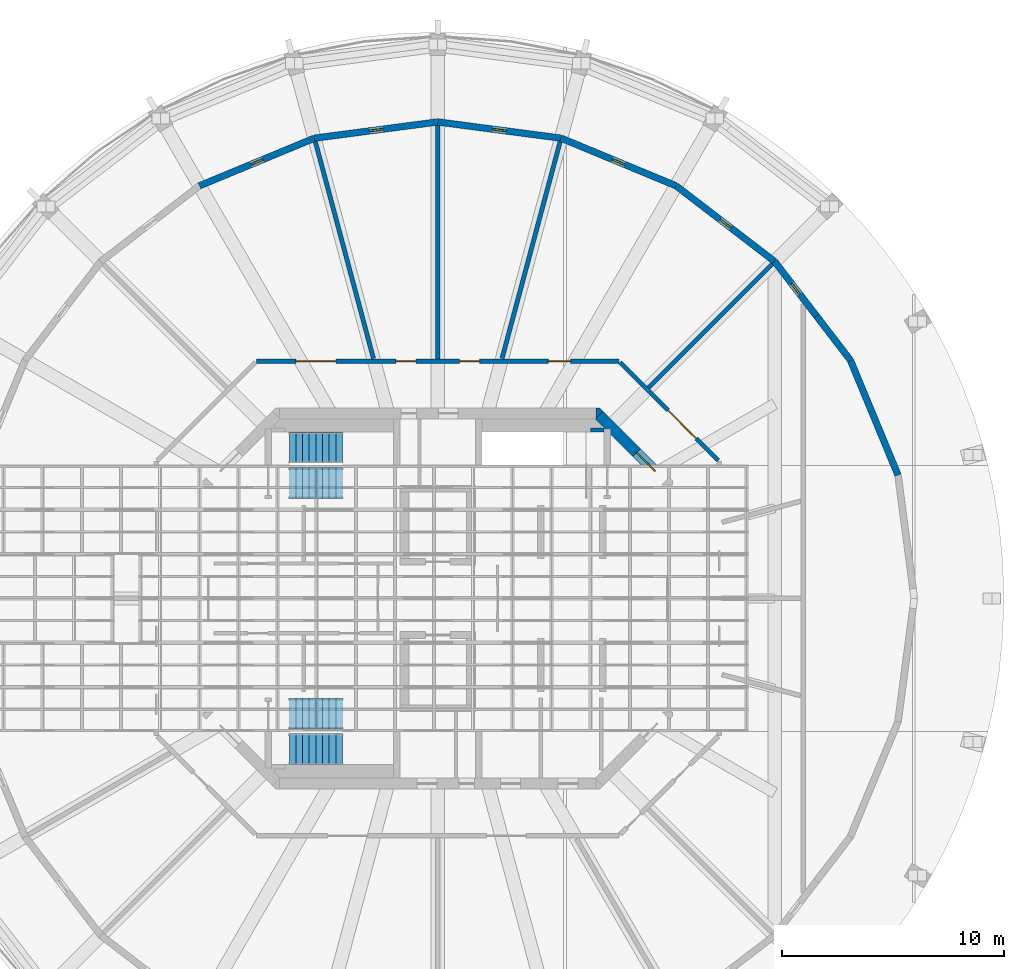
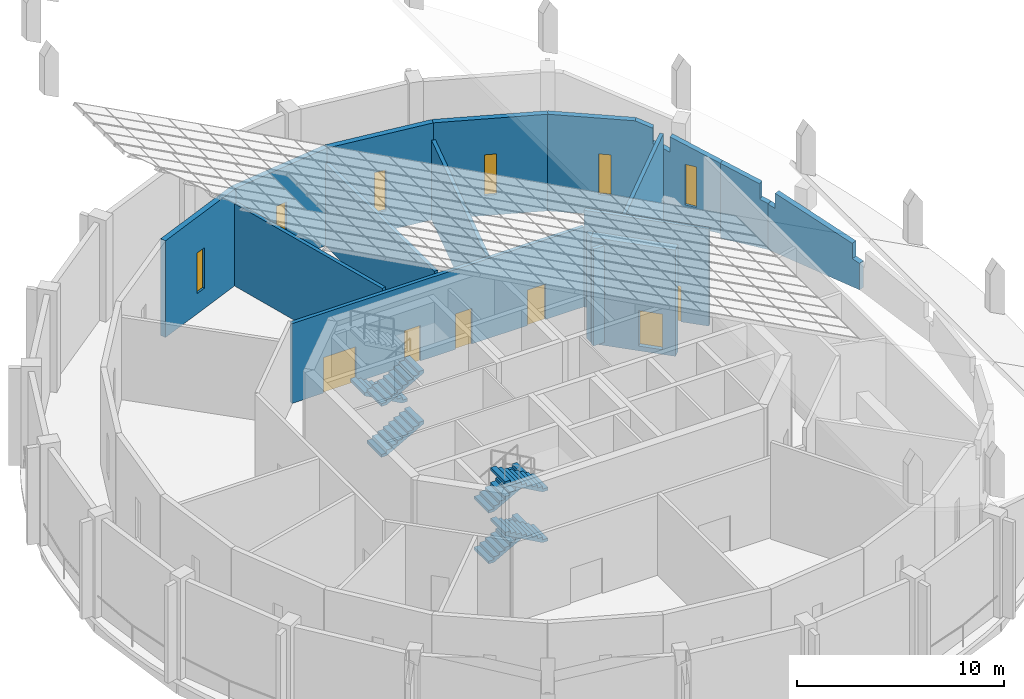
# One storey, part 16 of 19: 17 walls, 7 stair flights, 6 doors, 6 windows, 12 openings, 2 elements without a shape of their own.
"""IFC4 building model written with IfcOpenShell, lengths in metres."""

from ifc_helpers import new_model, si_unit, direction, frame, frame_2d, origin, place, context, subcontext, project, spatial, polyline, rectangle, outline, extrude, material, layer, layer_set, type_object, element, fill, aggregate, save


model = new_model("IFC4")

# Units and contexts
model_context = context("Model", 3, precision=1e-05, world=origin(), true_north=direction((0.0, 1.0)))
body_context = subcontext(model_context, "Body", "Model", "MODEL_VIEW")
ifc_project = project(units=[si_unit("LENGTHUNIT", "METRE"), si_unit("AREAUNIT", "SQUARE_METRE"), si_unit("VOLUMEUNIT", "CUBIC_METRE"), si_unit("PLANEANGLEUNIT", "RADIAN"), si_unit("MASSUNIT", "GRAM", prefix="KILO")], contexts=[model_context])

# Site, building, storey
site_placement = place(None, origin())
site = spatial("IfcSite", under=ifc_project, at=site_placement, CompositionType="ELEMENT")
building_placement = place(site_placement, origin())
building = spatial("IfcBuilding", under=site, at=building_placement, Name="Torre Triforio", CompositionType="ELEMENT")
storey_placement = place(building_placement, frame((0.0, 0.0, 290.800048828125)))
storey = spatial("IfcBuildingStorey", under=building, at=storey_placement, Name="RF-1", CompositionType="ELEMENT", Elevation=290.800048828125)

# Wall, opening, door
ifc_material_1 = material(Name="Concrete C40", Category="concrete")
ifc_layer_1 = layer(ifc_material_1, 0.5)
ifc_layer_set_1 = layer_set([ifc_layer_1], Name="Concrete C40")
wall_type_1 = type_object("IfcWallType", Name="Core wall 500 mm C40 EI 120", PredefinedType="SHEAR", material=ifc_layer_set_1)
wall_1_placement = place(storey_placement, frame((7.27685546875, 8.27685546875, -0.280029296875), z_axis=(0.0, 0.0, 1.0), x_axis=(0.707106781187, -0.707106781187, 0.0)))
wall_1 = element("IfcWall", 1, at=wall_1_placement, inside=storey, type_object=wall_type_1, Name="Core wall", PredefinedType="SHEAR", context=body_context, shape_type="SweptSolid", body=[
    extrude(rectangle(XDim=4.24267578125, YDim=0.5, at=frame_2d((2.121337890625, 0.0))), origin(), (0.0, 0.0, 1.0), 6.280029296875),
])
opening_1_placement = place(wall_1_placement, frame((2.392578125, 0.0, 0.280029296875)))
opening_1 = element("IfcOpeningElement", 2, at=opening_1_placement, cuts=wall_1, Name="Opening ST2-EXIT", PredefinedType="OPENING", context=body_context, shape_type="SweptSolid", body=[
    extrude(rectangle(XDim=1.199951171875, YDim=2.10009765625, at=frame_2d((0.60009765625, 1.050048828125))), frame((0.0, 0.260009765625, 0.0), z_axis=(0.0, -1.0, 0.0), x_axis=(1.0, 0.0, 0.0)), (0.0, 0.0, 1.0), 0.52001953125),
])
ifc_material_2 = material(Name="Hollow metal fire door leaf")
door_type_1 = type_object("IfcDoorType", Name="Stair lobby door 1200 x 2100 EI 60", OperationType="NOTDEFINED", PredefinedType="DOOR", material=ifc_material_2)
door_1_placement = place(opening_1_placement, origin())
door_1 = element("IfcDoor", 3, at=door_1_placement, inside=storey, type_object=door_type_1, Name="Core door ST2-EXIT", OperationType="SINGLE_SWING_RIGHT", OverallHeight=2.10009765625, OverallWidth=1.199951171875, PredefinedType="DOOR", context=body_context, shape_type="SweptSolid", body=[
    extrude(rectangle(XDim=1.199951171875, YDim=2.10009765625, at=frame_2d((0.60009765625, 1.050048828125))), frame((0.0, 0.02490234375, 0.0), z_axis=(0.0, -1.0, 0.0), x_axis=(1.0, 0.0, 0.0)), (0.0, 0.0, 1.0), 0.050048828125),
])
fill(opening_1, door_1)

# Wall
wall_2_placement = place(storey_placement, frame((0.0, 0.0, -0.280029296875)))
element("IfcWall", 4, at=wall_2_placement, inside=storey, type_object=wall_type_1, Name="Core wall", PredefinedType="SHEAR", context=body_context, shape_type="SweptSolid", body=[
    extrude(outline(polyline([(7.30712890625, 8.60009765625), (7.45361328125, 8.45361328125), (7.1298828125, 8.1298828125), (7.1298828125, 8.60009765625), (7.30712890625, 8.60009765625)])), origin(), (0.0, 0.0, 1.0), 6.280029296875),
])

# Wall, openings, doors
ifc_material_3 = material(Name="Masonry block", Category="masonry")
ifc_layer_2 = layer(ifc_material_3, 0.199951171875)
ifc_layer_set_2 = layer_set([ifc_layer_2], Name="Masonry block")
wall_type_2 = type_object("IfcWallType", Name="Plant room wall 200 mm block EI 120", PredefinedType="PARTITIONING", material=ifc_layer_set_2)
wall_3_placement = place(storey_placement, frame((-8.177001953125, 10.699951171875, 0.0), z_axis=(0.0, 0.0, 1.0), x_axis=(1.0, 0.0, 0.0)))
wall_3 = element("IfcWall", 5, at=wall_3_placement, inside=storey, type_object=wall_type_2, Name="Partition 5", PredefinedType="PARTITIONING", context=body_context, shape_type="SweptSolid", body=[
    extrude(rectangle(XDim=16.35400390625, YDim=0.199951171875, at=frame_2d((8.177001953125, 0.0))), origin(), (0.0, 0.0, 1.0), 4.719970703125),
])
opening_2_placement = place(wall_3_placement, frame((13.174072265625, 0.0, 0.0)))
opening_2 = element("IfcOpeningElement", 6, at=opening_2_placement, cuts=wall_3, Name="Opening CR1-01", PredefinedType="OPENING", context=body_context, shape_type="SweptSolid", body=[
    extrude(rectangle(XDim=1.0, YDim=2.10009765625, at=frame_2d((0.5, 1.050048828125))), frame((0.0, 0.10986328125, 0.0), z_axis=(0.0, -1.0, 0.0), x_axis=(1.0, 0.0, 0.0)), (0.0, 0.0, 1.0), 0.219970703125),
])
opening_3_placement = place(wall_3_placement, frame((9.161376953125, 0.0, 0.0)))
opening_3 = element("IfcOpeningElement", 7, at=opening_3_placement, cuts=wall_3, Name="Opening CR1-02", PredefinedType="OPENING", context=body_context, shape_type="SweptSolid", body=[
    extrude(rectangle(XDim=0.89990234375, YDim=2.10009765625, at=frame_2d((0.449951171875, 1.050048828125))), frame((0.0, 0.10986328125, 0.0), z_axis=(0.0, -1.0, 0.0), x_axis=(1.0, 0.0, 0.0)), (0.0, 0.0, 1.0), 0.219970703125),
])
opening_4_placement = place(wall_3_placement, frame((6.29248046875, 0.0, 0.0)))
opening_4 = element("IfcOpeningElement", 8, at=opening_4_placement, cuts=wall_3, Name="Opening CR1-03", PredefinedType="OPENING", context=body_context, shape_type="SweptSolid", body=[
    extrude(rectangle(XDim=0.89990234375, YDim=2.10009765625, at=frame_2d((0.449951171875, 1.050048828125))), frame((0.0, 0.10986328125, 0.0), z_axis=(0.0, -1.0, 0.0), x_axis=(1.0, 0.0, 0.0)), (0.0, 0.0, 1.0), 0.219970703125),
])
opening_5_placement = place(wall_3_placement, frame((1.77978515625, 0.0, 0.0)))
opening_5 = element("IfcOpeningElement", 9, at=opening_5_placement, cuts=wall_3, Name="Opening CR1-04", PredefinedType="OPENING", context=body_context, shape_type="SweptSolid", body=[
    extrude(rectangle(XDim=1.800048828125, YDim=2.10009765625, at=frame_2d((0.89990234375, 1.050048828125))), frame((0.0, 0.10986328125, 0.0), z_axis=(0.0, -1.0, 0.0), x_axis=(1.0, 0.0, 0.0)), (0.0, 0.0, 1.0), 0.219970703125),
])
door_type_2 = type_object("IfcDoorType", Name="Door 1000 x 2100 single leaf EI 60", OperationType="NOTDEFINED", PredefinedType="DOOR", material=ifc_material_2)
door_2_placement = place(opening_2_placement, origin())
door_2 = element("IfcDoor", 10, at=door_2_placement, inside=storey, type_object=door_type_2, Name="Door CR1-01", OperationType="SINGLE_SWING_LEFT", OverallHeight=2.10009765625, OverallWidth=1.0, PredefinedType="DOOR", context=body_context, shape_type="SweptSolid", body=[
    extrude(rectangle(XDim=1.0, YDim=2.10009765625, at=frame_2d((0.5, 1.050048828125))), frame((0.0, 0.02490234375, 0.0), z_axis=(0.0, -1.0, 0.0), x_axis=(1.0, 0.0, 0.0)), (0.0, 0.0, 1.0), 0.050048828125),
])
fill(opening_2, door_2)
door_type_3 = type_object("IfcDoorType", Name="Door 1800 x 2100 double leaf EI 60", OperationType="DOUBLE_DOOR_SINGLE_SWING", PredefinedType="DOOR", material=ifc_material_2)
door_3_placement = place(opening_5_placement, origin())
door_3 = element("IfcDoor", 11, at=door_3_placement, inside=storey, type_object=door_type_3, Name="Door CR1-04", OperationType="DOUBLE_DOOR_SINGLE_SWING", OverallHeight=2.10009765625, OverallWidth=1.800048828125, PredefinedType="DOOR", context=body_context, shape_type="SweptSolid", body=[
    extrude(rectangle(XDim=1.800048828125, YDim=2.10009765625, at=frame_2d((0.89990234375, 1.050048828125))), frame((0.0, 0.02490234375, 0.0), z_axis=(0.0, -1.0, 0.0), x_axis=(1.0, 0.0, 0.0)), (0.0, 0.0, 1.0), 0.050048828125),
])
fill(opening_5, door_3)
door_type_4 = type_object("IfcDoorType", Name="Door 900 x 2100 single leaf EI 60", OperationType="NOTDEFINED", PredefinedType="DOOR", material=ifc_material_2)
door_4_placement = place(opening_3_placement, origin())
door_4 = element("IfcDoor", 12, at=door_4_placement, inside=storey, type_object=door_type_4, Name="Door CR1-02", OperationType="SINGLE_SWING_LEFT", OverallHeight=2.10009765625, OverallWidth=0.89990234375, PredefinedType="DOOR", context=body_context, shape_type="SweptSolid", body=[
    extrude(rectangle(XDim=0.89990234375, YDim=2.10009765625, at=frame_2d((0.449951171875, 1.050048828125))), frame((0.0, 0.02490234375, 0.0), z_axis=(0.0, -1.0, 0.0), x_axis=(1.0, 0.0, 0.0)), (0.0, 0.0, 1.0), 0.050048828125),
])
fill(opening_3, door_4)
door_5_placement = place(opening_4_placement, origin())
door_5 = element("IfcDoor", 13, at=door_5_placement, inside=storey, type_object=door_type_4, Name="Door CR1-03", OperationType="SINGLE_SWING_LEFT", OverallHeight=2.10009765625, OverallWidth=0.89990234375, PredefinedType="DOOR", context=body_context, shape_type="SweptSolid", body=[
    extrude(rectangle(XDim=0.89990234375, YDim=2.10009765625, at=frame_2d((0.449951171875, 1.050048828125))), frame((0.0, 0.02490234375, 0.0), z_axis=(0.0, -1.0, 0.0), x_axis=(1.0, 0.0, 0.0)), (0.0, 0.0, 1.0), 0.050048828125),
])
fill(opening_4, door_5)

# Wall, opening, door
wall_4_placement = place(storey_placement, frame((8.2265625, 10.650390625, 0.0), z_axis=(0.0, 0.0, 1.0), x_axis=(0.707106781187, -0.707106781187, 0.0)))
wall_4 = element("IfcWall", 14, at=wall_4_placement, inside=storey, type_object=wall_type_2, Name="Partition 6", PredefinedType="PARTITIONING", context=body_context, shape_type="SweptSolid", body=[
    extrude(rectangle(XDim=6.25634765625, YDim=0.199951171875, at=frame_2d((3.128173828125, 0.0))), origin(), (0.0, 0.0, 1.0), 5.719970703125),
])
opening_6_placement = place(wall_4_placement, frame((3.060302734375, 0.0, 0.0)))
opening_6 = element("IfcOpeningElement", 15, at=opening_6_placement, cuts=wall_4, Name="Opening CR1-15", PredefinedType="OPENING", context=body_context, shape_type="SweptSolid", body=[
    extrude(rectangle(XDim=1.800048828125, YDim=2.10009765625, at=frame_2d((0.89990234375, 1.050048828125))), frame((0.0, 0.10986328125, 0.0), z_axis=(0.0, -1.0, 0.0), x_axis=(1.0, 0.0, 0.0)), (0.0, 0.0, 1.0), 0.219970703125),
])
door_6_placement = place(opening_6_placement, origin())
door_6 = element("IfcDoor", 16, at=door_6_placement, inside=storey, type_object=door_type_3, Name="Door CR1-15", OperationType="DOUBLE_DOOR_SINGLE_SWING", OverallHeight=2.10009765625, OverallWidth=1.800048828125, PredefinedType="DOOR", context=body_context, shape_type="SweptSolid", body=[
    extrude(rectangle(XDim=1.800048828125, YDim=2.10009765625, at=frame_2d((0.89990234375, 1.050048828125))), frame((0.0, 0.02490234375, 0.0), z_axis=(0.0, -1.0, 0.0), x_axis=(1.0, 0.0, 0.0)), (0.0, 0.0, 1.0), 0.050048828125),
])
fill(opening_6, door_6)

# Walls
wall_5_placement = place(storey_placement, frame((9.50927734375, 9.50927734375, 0.0), z_axis=(0.0, 0.0, 1.0), x_axis=(0.707106781187, 0.707106781187, 0.0)))
element("IfcWall", 17, at=wall_5_placement, inside=storey, type_object=wall_type_2, Name="Partition 11", PredefinedType="PARTITIONING", context=body_context, shape_type="SweptSolid", body=[
    extrude(rectangle(XDim=7.888671875, YDim=0.199951171875, at=frame_2d((3.9443359375, 0.0))), origin(), (0.0, 0.0, 1.0), 5.113037109375),
])
wall_6_placement = place(storey_placement, frame((2.900634765625, 10.82568359375, 0.0), z_axis=(0.0, 0.0, 1.0), x_axis=(0.258817608395, 0.965926211253, 0.0)))
element("IfcWall", 18, at=wall_6_placement, inside=storey, type_object=wall_type_2, Name="Partition 12", PredefinedType="PARTITIONING", context=body_context, shape_type="SweptSolid", body=[
    extrude(rectangle(XDim=10.129150390625, YDim=0.199951171875, at=frame_2d((5.064453125, 0.0))), origin(), (0.0, 0.0, 1.0), 4.719970703125),
])
wall_7_placement = place(storey_placement, frame((0.0, 10.800048828125, 0.0), z_axis=(0.0, 0.0, 1.0), x_axis=(0.0, 1.0, 0.0)))
element("IfcWall", 19, at=wall_7_placement, inside=storey, type_object=wall_type_2, Name="Partition 13", PredefinedType="PARTITIONING", context=body_context, shape_type="SweptSolid", body=[
    extrude(rectangle(XDim=10.53662109375, YDim=0.199951171875, at=frame_2d((5.268310546875, 0.0))), origin(), (0.0, 0.0, 1.0), 4.869873046875),
])
wall_8_placement = place(storey_placement, frame((-2.900634765625, 10.82568359375, 0.0), z_axis=(0.0, 0.0, 1.0), x_axis=(-0.258817608395, 0.965926211253, 0.0)))
element("IfcWall", 20, at=wall_8_placement, inside=storey, type_object=wall_type_2, Name="Partition 14", PredefinedType="PARTITIONING", context=body_context, shape_type="SweptSolid", body=[
    extrude(rectangle(XDim=10.129150390625, YDim=0.199951171875, at=frame_2d((5.064453125, 0.0))), origin(), (0.0, 0.0, 1.0), 4.869873046875),
])
ifc_layer_3 = layer(ifc_material_1, 0.199951171875)
ifc_layer_set_3 = layer_set([ifc_layer_3], Name="Concrete C40")
wall_type_3 = type_object("IfcWallType", Name="Stair wall 200 mm C40 EI 120", PredefinedType="SHEAR", material=ifc_layer_set_3)
wall_9_placement = place(storey_placement, frame((6.89990234375, 7.60009765625, 0.0), z_axis=(0.0, 0.0, 1.0), x_axis=(1.0, 0.0, 0.0)))
element("IfcWall", 21, at=wall_9_placement, inside=storey, type_object=wall_type_3, Name="Stair wall", PredefinedType="SHEAR", context=body_context, shape_type="SweptSolid", body=[
    extrude(rectangle(XDim=0.60009765625, YDim=0.199951171875, at=frame_2d((0.300048828125, 0.0))), origin(), (0.0, 0.0, 1.0), 5.719970703125),
])

# Wall, opening, window
ifc_material_4 = material(Name="Limestone cladding", Category="masonry")
ifc_layer_4 = layer(ifc_material_4, 0.10009765625)
ifc_layer_5 = layer(ifc_material_1, 0.199951171875)
ifc_layer_set_4 = layer_set([ifc_layer_4, ifc_layer_5], Name="Limestone cladding / Concrete C40")
wall_type_4 = type_object("IfcWallType", Name="Stone-faced composite wall 300", PredefinedType="STANDARD", material=ifc_layer_set_4)
wall_10_placement = place(storey_placement, frame((17.086669921875, 12.74755859375, 0.0), z_axis=(0.0, 0.0, 1.0), x_axis=(-0.608711400692, 0.793391725863, 0.0)))
wall_10 = element("IfcWall", 22, at=wall_10_placement, inside=storey, type_object=wall_type_4, Name="Crown wall RF-1 bay 03", PredefinedType="STANDARD", context=body_context, shape_type="SweptSolid", body=[
    extrude(outline(polyline([(0.0, 0.0), (3.0947265625, 0.0), (3.0947265625, 4.249267578125), (2.644775390625, 4.103515625), (2.642578125, 5.005859375), (0.0, 4.150634765625), (0.0, 0.0)])), frame((0.0, 0.14990234375, 0.0), z_axis=(0.0, -1.0, 0.0), x_axis=(1.0, 0.0, 0.0)), (0.0, 0.0, 1.0), 0.300048828125),
])
opening_7_placement = place(wall_10_placement, frame((1.247314453125, 0.0, 1.199951171875)))
opening_7 = element("IfcOpeningElement", 23, at=opening_7_placement, cuts=wall_10, Name="Opening CR1-W03", PredefinedType="OPENING", context=body_context, shape_type="SweptSolid", body=[
    extrude(rectangle(XDim=0.60009765625, YDim=2.39990234375, at=frame_2d((0.300048828125, 1.199951171875))), frame((0.0, 0.159912109375, 0.0), z_axis=(0.0, -1.0, 0.0), x_axis=(1.0, 0.0, 0.0)), (0.0, 0.0, 1.0), 0.320068359375),
])
ifc_material_5 = material(Name="Aluminium frame with clear double glazing", Category="aluminium")
window_type = type_object("IfcWindowType", Name="Crown lancet slit window 600 x 2400", PartitioningType="SINGLE_PANEL", PredefinedType="WINDOW", material=ifc_material_5)
window_1_placement = place(opening_7_placement, origin())
window_1 = element("IfcWindow", 24, at=window_1_placement, inside=storey, type_object=window_type, Name="Slit window RF-1 bay 03", OverallHeight=2.39990234375, OverallWidth=0.60009765625, PartitioningType="SINGLE_PANEL", PredefinedType="WINDOW", context=body_context, shape_type="SweptSolid", body=[
    extrude(rectangle(XDim=0.60009765625, YDim=2.39990234375, at=frame_2d((0.300048828125, 1.199951171875))), frame((0.0, 0.030029296875, 0.0), z_axis=(0.0, -1.0, 0.0), x_axis=(1.0, 0.0, 0.0)), (0.0, 0.0, 1.0), 0.06005859375),
])
fill(opening_7, window_1)

wall_11_placement = place(storey_placement, frame((15.202880859375, 15.202880859375, 0.0), z_axis=(0.0, 0.0, 1.0), x_axis=(-0.793380165925, 0.608726467567, 0.0)))
wall_11 = element("IfcWall", 25, at=wall_11_placement, inside=storey, type_object=wall_type_4, Name="Crown wall RF-1 bay 04", PredefinedType="STANDARD", context=body_context, shape_type="SweptSolid", body=[
    extrude(outline(polyline([(0.0, 0.0), (5.612548828125, 0.0), (5.612548828125, 5.719970703125), (1.310791015625, 5.719970703125), (0.451904296875, 5.357666015625), (0.449951171875, 4.453857421875), (0.0, 4.263916015625), (0.0, 0.0)])), frame((0.0, 0.14990234375, 0.0), z_axis=(0.0, -1.0, 0.0), x_axis=(1.0, 0.0, 0.0)), (0.0, 0.0, 1.0), 0.300048828125),
])
opening_8_placement = place(wall_11_placement, frame((2.50634765625, 0.0, 1.199951171875)))
opening_8 = element("IfcOpeningElement", 26, at=opening_8_placement, cuts=wall_11, Name="Opening CR1-W04", PredefinedType="OPENING", context=body_context, shape_type="SweptSolid", body=[
    extrude(rectangle(XDim=0.60009765625, YDim=2.39990234375, at=frame_2d((0.300048828125, 1.199951171875))), frame((0.0, 0.159912109375, 0.0), z_axis=(0.0, -1.0, 0.0), x_axis=(1.0, 0.0, 0.0)), (0.0, 0.0, 1.0), 0.320068359375),
])
window_2_placement = place(opening_8_placement, origin())
window_2 = element("IfcWindow", 27, at=window_2_placement, inside=storey, type_object=window_type, Name="Slit window RF-1 bay 04", OverallHeight=2.39990234375, OverallWidth=0.60009765625, PartitioningType="SINGLE_PANEL", PredefinedType="WINDOW", context=body_context, shape_type="SweptSolid", body=[
    extrude(rectangle(XDim=0.60009765625, YDim=2.39990234375, at=frame_2d((0.300048828125, 1.199951171875))), frame((0.0, 0.030029296875, 0.0), z_axis=(0.0, -1.0, 0.0), x_axis=(1.0, 0.0, 0.0)), (0.0, 0.0, 1.0), 0.06005859375),
])
fill(opening_8, window_2)

wall_12_placement = place(storey_placement, frame((10.75, 18.619384765625, 0.0), z_axis=(0.0, 0.0, 1.0), x_axis=(-0.92387156362, 0.382702670405, 0.0)))
wall_12 = element("IfcWall", 28, at=wall_12_placement, inside=storey, type_object=wall_type_4, Name="Crown wall RF-1 bay 05", PredefinedType="STANDARD", context=body_context, shape_type="SweptSolid", body=[
    extrude(outline(polyline([(0.0, 0.0), (5.612548828125, 0.0), (5.612548828125, 5.719970703125), (0.0, 5.719970703125), (0.0, 0.0)])), frame((0.0, 0.14990234375, 0.0), z_axis=(0.0, -1.0, 0.0), x_axis=(1.0, 0.0, 0.0)), (0.0, 0.0, 1.0), 0.300048828125),
])
opening_9_placement = place(wall_12_placement, frame((2.50634765625, 0.0, 1.199951171875)))
opening_9 = element("IfcOpeningElement", 29, at=opening_9_placement, cuts=wall_12, Name="Opening CR1-W05", PredefinedType="OPENING", context=body_context, shape_type="SweptSolid", body=[
    extrude(rectangle(XDim=0.60009765625, YDim=2.39990234375, at=frame_2d((0.300048828125, 1.199951171875))), frame((0.0, 0.159912109375, 0.0), z_axis=(0.0, -1.0, 0.0), x_axis=(1.0, 0.0, 0.0)), (0.0, 0.0, 1.0), 0.320068359375),
])
window_3_placement = place(opening_9_placement, origin())
window_3 = element("IfcWindow", 30, at=window_3_placement, inside=storey, type_object=window_type, Name="Slit window RF-1 bay 05", OverallHeight=2.39990234375, OverallWidth=0.60009765625, PartitioningType="SINGLE_PANEL", PredefinedType="WINDOW", context=body_context, shape_type="SweptSolid", body=[
    extrude(rectangle(XDim=0.60009765625, YDim=2.39990234375, at=frame_2d((0.300048828125, 1.199951171875))), frame((0.0, 0.030029296875, 0.0), z_axis=(0.0, -1.0, 0.0), x_axis=(1.0, 0.0, 0.0)), (0.0, 0.0, 1.0), 0.06005859375),
])
fill(opening_9, window_3)

wall_13_placement = place(storey_placement, frame((5.564697265625, 20.767333984375, 0.0), z_axis=(0.0, 0.0, 1.0), x_axis=(-0.991443484334, 0.130536651449, 0.0)))
wall_13 = element("IfcWall", 31, at=wall_13_placement, inside=storey, type_object=wall_type_4, Name="Crown wall RF-1 bay 06", PredefinedType="STANDARD", context=body_context, shape_type="SweptSolid", body=[
    extrude(outline(polyline([(0.0, 0.0), (5.61279296875, 0.0), (5.612548828125, 5.719970703125), (0.0, 5.719970703125), (0.0, 0.0)])), frame((0.0, 0.14990234375, 0.0), z_axis=(0.0, -1.0, 0.0), x_axis=(1.0, 0.0, 0.0)), (0.0, 0.0, 1.0), 0.300048828125),
])
opening_10_placement = place(wall_13_placement, frame((2.50634765625, 0.0, 1.199951171875)))
opening_10 = element("IfcOpeningElement", 32, at=opening_10_placement, cuts=wall_13, Name="Opening CR1-W06", PredefinedType="OPENING", context=body_context, shape_type="SweptSolid", body=[
    extrude(rectangle(XDim=0.60009765625, YDim=2.39990234375, at=frame_2d((0.300048828125, 1.199951171875))), frame((0.0, 0.159912109375, 0.0), z_axis=(0.0, -1.0, 0.0), x_axis=(1.0, 0.0, 0.0)), (0.0, 0.0, 1.0), 0.320068359375),
])
window_4_placement = place(opening_10_placement, origin())
window_4 = element("IfcWindow", 33, at=window_4_placement, inside=storey, type_object=window_type, Name="Slit window RF-1 bay 06", OverallHeight=2.39990234375, OverallWidth=0.60009765625, PartitioningType="SINGLE_PANEL", PredefinedType="WINDOW", context=body_context, shape_type="SweptSolid", body=[
    extrude(rectangle(XDim=0.60009765625, YDim=2.39990234375, at=frame_2d((0.300048828125, 1.199951171875))), frame((0.0, 0.030029296875, 0.0), z_axis=(0.0, -1.0, 0.0), x_axis=(1.0, 0.0, 0.0)), (0.0, 0.0, 1.0), 0.06005859375),
])
fill(opening_10, window_4)

wall_14_placement = place(storey_placement, frame((0.0, 21.5, 0.0), z_axis=(0.0, 0.0, 1.0), x_axis=(-0.991443484334, -0.130536651449, 0.0)))
wall_14 = element("IfcWall", 34, at=wall_14_placement, inside=storey, type_object=wall_type_4, Name="Crown wall RF-1 bay 07", PredefinedType="STANDARD", context=body_context, shape_type="SweptSolid", body=[
    extrude(outline(polyline([(0.0, 0.0), (5.61279296875, 0.0), (5.612548828125, 5.719970703125), (0.0, 5.719970703125), (0.0, 0.0)])), frame((0.0, 0.14990234375, 0.0), z_axis=(0.0, -1.0, 0.0), x_axis=(1.0, 0.0, 0.0)), (0.0, 0.0, 1.0), 0.300048828125),
])
opening_11_placement = place(wall_14_placement, frame((2.50634765625, 0.0, 1.199951171875)))
opening_11 = element("IfcOpeningElement", 35, at=opening_11_placement, cuts=wall_14, Name="Opening CR1-W07", PredefinedType="OPENING", context=body_context, shape_type="SweptSolid", body=[
    extrude(rectangle(XDim=0.60009765625, YDim=2.39990234375, at=frame_2d((0.300048828125, 1.199951171875))), frame((0.0, 0.159912109375, 0.0), z_axis=(0.0, -1.0, 0.0), x_axis=(1.0, 0.0, 0.0)), (0.0, 0.0, 1.0), 0.320068359375),
])
window_5_placement = place(opening_11_placement, origin())
window_5 = element("IfcWindow", 36, at=window_5_placement, inside=storey, type_object=window_type, Name="Slit window RF-1 bay 07", OverallHeight=2.39990234375, OverallWidth=0.60009765625, PartitioningType="SINGLE_PANEL", PredefinedType="WINDOW", context=body_context, shape_type="SweptSolid", body=[
    extrude(rectangle(XDim=0.60009765625, YDim=2.39990234375, at=frame_2d((0.300048828125, 1.199951171875))), frame((0.0, 0.030029296875, 0.0), z_axis=(0.0, -1.0, 0.0), x_axis=(1.0, 0.0, 0.0)), (0.0, 0.0, 1.0), 0.06005859375),
])
fill(opening_11, window_5)

wall_15_placement = place(storey_placement, frame((-5.564697265625, 20.767333984375, 0.0), z_axis=(0.0, 0.0, 1.0), x_axis=(-0.92387156362, -0.382702670405, 0.0)))
wall_15 = element("IfcWall", 37, at=wall_15_placement, inside=storey, type_object=wall_type_4, Name="Crown wall RF-1 bay 08", PredefinedType="STANDARD", context=body_context, shape_type="SweptSolid", body=[
    extrude(outline(polyline([(0.0, 0.0), (5.612548828125, 0.0), (5.612548828125, 5.719970703125), (0.0, 5.719970703125), (0.0, 0.0)])), frame((0.0, 0.14990234375, 0.0), z_axis=(0.0, -1.0, 0.0), x_axis=(1.0, 0.0, 0.0)), (0.0, 0.0, 1.0), 0.300048828125),
])
opening_12_placement = place(wall_15_placement, frame((2.50634765625, 0.0, 1.199951171875)))
opening_12 = element("IfcOpeningElement", 38, at=opening_12_placement, cuts=wall_15, Name="Opening CR1-W08", PredefinedType="OPENING", context=body_context, shape_type="SweptSolid", body=[
    extrude(rectangle(XDim=0.60009765625, YDim=2.39990234375, at=frame_2d((0.300048828125, 1.199951171875))), frame((0.0, 0.159912109375, 0.0), z_axis=(0.0, -1.0, 0.0), x_axis=(1.0, 0.0, 0.0)), (0.0, 0.0, 1.0), 0.320068359375),
])
window_6_placement = place(opening_12_placement, origin())
window_6 = element("IfcWindow", 39, at=window_6_placement, inside=storey, type_object=window_type, Name="Slit window RF-1 bay 08", OverallHeight=2.39990234375, OverallWidth=0.60009765625, PartitioningType="SINGLE_PANEL", PredefinedType="WINDOW", context=body_context, shape_type="SweptSolid", body=[
    extrude(rectangle(XDim=0.60009765625, YDim=2.39990234375, at=frame_2d((0.300048828125, 1.199951171875))), frame((0.0, 0.030029296875, 0.0), z_axis=(0.0, -1.0, 0.0), x_axis=(1.0, 0.0, 0.0)), (0.0, 0.0, 1.0), 0.06005859375),
])
fill(opening_12, window_6)

# Walls
wall_16_placement = place(storey_placement, frame((20.767333984375, 5.564697265625, -0.280029296875), z_axis=(0.0, 0.0, 1.0), x_axis=(-0.382702670405, 0.92387156362, 0.0)))
element("IfcWall", 40, at=wall_16_placement, inside=storey, type_object=wall_type_4, Name="Crown wall RF-1 bay 02 east", PredefinedType="STANDARD", context=body_context, shape_type="SweptSolid", body=[
    extrude(outline(polyline([(0.0, 0.0), (5.612548828125, 0.0), (5.612548828125, 2.7021484375), (5.16259765625, 2.610595703125), (5.16064453125, 3.51318359375), (0.451904296875, 2.55517578125), (0.449951171875, 1.651611328125), (0.0, 1.56005859375), (0.0, 0.0)])), frame((0.0, 0.14990234375, 0.0), z_axis=(0.0, -1.0, 0.0), x_axis=(1.0, 0.0, 0.0)), (0.0, 0.0, 1.0), 0.300048828125),
])
wall_17_placement = place(storey_placement, frame((18.619384765625, 10.75, -0.280029296875), z_axis=(0.0, 0.0, 1.0), x_axis=(-0.608744986289, 0.793365956963, 0.0)))
element("IfcWall", 41, at=wall_17_placement, inside=storey, type_object=wall_type_4, Name="Crown wall RF-1 bay 03 east", PredefinedType="STANDARD", context=body_context, shape_type="SweptSolid", body=[
    extrude(outline(polyline([(0.0, 0.0), (2.517822265625, 0.0), (2.517822265625, 4.4306640625), (0.451904296875, 3.761962890625), (0.449951171875, 2.858154296875), (0.0, 2.712646484375), (0.0, 0.0)])), frame((0.0, 0.14990234375, 0.0), z_axis=(0.0, -1.0, 0.0), x_axis=(1.0, 0.0, 0.0)), (0.0, 0.0, 1.0), 0.300048828125),
])

# Stair, stair flights
stair_type = type_object("IfcStairType", Name="STAIR DOUBLE RETURN", PredefinedType="DOUBLE_RETURN_STAIR", material=ifc_material_1)
stair_1_placement = place(storey_placement, origin())
stair_1 = element("IfcStair", 42, at=stair_1_placement, inside=storey, type_object=stair_type, Name="Exit stair 1", PredefinedType="DOUBLE_RETURN_STAIR")
stair_flight_type = type_object("IfcStairFlightType", Name="STAIR FLIGHT 1400", PredefinedType="STRAIGHT", material=ifc_material_1)
stair_flight_1_placement = place(storey_placement, frame((-6.699951171875, 5.199951171875, 0.0), z_axis=(0.0, 0.0, 1.0), x_axis=(1.0, 0.0, 0.0)))
stair_flight_1 = element("IfcStairFlight", 43, at=stair_flight_1_placement, type_object=stair_flight_type, Name="ST1 flight 1", NumberOfRisers=9, NumberOfTreads=8, PredefinedType="STRAIGHT", RiserHeight=0.166666667, TreadLength=0.3, context=body_context, shape_type="SweptSolid", body=[
    extrude(outline(polyline([(0.0, 0.0), (0.0, 0.166748046875), (0.300048828125, 0.166748046875), (0.300048828125, 0.333251953125), (0.60009765625, 0.333251953125), (0.60009765625, 0.5), (0.89990234375, 0.5), (0.89990234375, 0.666748046875), (1.199951171875, 0.666748046875), (1.199951171875, 0.833251953125), (1.5, 0.833251953125), (1.5, 1.0), (1.800048828125, 1.0), (1.800048828125, 1.166748046875), (2.10009765625, 1.166748046875), (2.10009765625, 1.333251953125), (2.39990234375, 1.333251953125), (2.39990234375, 1.5), (2.39990234375, 1.161865234375), (0.30859375, 0.0), (0.0, 0.0)])), frame((0.0, 0.699951171875, 0.0), z_axis=(0.0, -1.0, 0.0), x_axis=(1.0, 0.0, 0.0)), (0.0, 0.0, 1.0), 1.39990234375),
])
stair_flight_2_placement = place(storey_placement, frame((-4.300048828125, 6.800048828125, 1.5), z_axis=(0.0, 0.0, 1.0), x_axis=(-1.0, 0.0, 0.0)))
stair_flight_2 = element("IfcStairFlight", 44, at=stair_flight_2_placement, type_object=stair_flight_type, Name="ST1 flight 2", NumberOfRisers=9, NumberOfTreads=8, PredefinedType="STRAIGHT", RiserHeight=0.166666667, TreadLength=0.3, context=body_context, shape_type="SweptSolid", body=[
    extrude(outline(polyline([(0.0, 0.0), (0.0, 0.166748046875), (0.300048828125, 0.166748046875), (0.300048828125, 0.333251953125), (0.60009765625, 0.333251953125), (0.60009765625, 0.5), (0.89990234375, 0.5), (0.89990234375, 0.666748046875), (1.199951171875, 0.666748046875), (1.199951171875, 0.833251953125), (1.5, 0.833251953125), (1.5, 1.0), (1.800048828125, 1.0), (1.800048828125, 1.166748046875), (2.10009765625, 1.166748046875), (2.10009765625, 1.333251953125), (2.39990234375, 1.333251953125), (2.39990234375, 1.5), (2.39990234375, 1.161865234375), (0.30859375, 0.0), (0.0, 0.0)])), frame((0.0, 0.699951171875, 0.0), z_axis=(0.0, -1.0, 0.0), x_axis=(1.0, 0.0, 0.0)), (0.0, 0.0, 1.0), 1.39990234375),
])
stair_flight_3_placement = place(storey_placement, frame((-6.699951171875, 5.199951171875, 3.0), z_axis=(0.0, 0.0, 1.0), x_axis=(1.0, 0.0, 0.0)))
stair_flight_3 = element("IfcStairFlight", 45, at=stair_flight_3_placement, type_object=stair_flight_type, Name="ST1 flight 3", NumberOfRisers=9, NumberOfTreads=8, PredefinedType="STRAIGHT", RiserHeight=0.166666667, TreadLength=0.3, context=body_context, shape_type="SweptSolid", body=[
    extrude(outline(polyline([(0.0, 0.0), (0.0, 0.166748046875), (0.300048828125, 0.166748046875), (0.300048828125, 0.333251953125), (0.60009765625, 0.333251953125), (0.60009765625, 0.5), (0.89990234375, 0.5), (0.89990234375, 0.666748046875), (1.199951171875, 0.666748046875), (1.199951171875, 0.833251953125), (1.5, 0.833251953125), (1.5, 1.0), (1.800048828125, 1.0), (1.800048828125, 1.166748046875), (2.10009765625, 1.166748046875), (2.10009765625, 1.333251953125), (2.39990234375, 1.333251953125), (2.39990234375, 1.5), (2.39990234375, 1.161865234375), (0.30859375, 0.0), (0.0, 0.0)])), frame((0.0, 0.699951171875, 0.0), z_axis=(0.0, -1.0, 0.0), x_axis=(1.0, 0.0, 0.0)), (0.0, 0.0, 1.0), 1.39990234375),
])
aggregate(stair_1, [stair_flight_1, stair_flight_2, stair_flight_3])

stair_2_placement = place(storey_placement, origin())
stair_2 = element("IfcStair", 46, at=stair_2_placement, inside=storey, type_object=stair_type, Name="Exit stair 3", PredefinedType="DOUBLE_RETURN_STAIR")
stair_flight_4_placement = place(storey_placement, frame((-6.699951171875, -5.199951171875, 0.0), z_axis=(0.0, 0.0, 1.0), x_axis=(1.0, 0.0, 0.0)))
stair_flight_4 = element("IfcStairFlight", 47, at=stair_flight_4_placement, type_object=stair_flight_type, Name="ST3 flight 1", NumberOfRisers=9, NumberOfTreads=8, PredefinedType="STRAIGHT", RiserHeight=0.166666667, TreadLength=0.3, context=body_context, shape_type="SweptSolid", body=[
    extrude(outline(polyline([(0.0, 0.0), (0.0, 0.166748046875), (0.300048828125, 0.166748046875), (0.300048828125, 0.333251953125), (0.60009765625, 0.333251953125), (0.60009765625, 0.5), (0.89990234375, 0.5), (0.89990234375, 0.666748046875), (1.199951171875, 0.666748046875), (1.199951171875, 0.833251953125), (1.5, 0.833251953125), (1.5, 1.0), (1.800048828125, 1.0), (1.800048828125, 1.166748046875), (2.10009765625, 1.166748046875), (2.10009765625, 1.333251953125), (2.39990234375, 1.333251953125), (2.39990234375, 1.5), (2.39990234375, 1.161865234375), (0.30859375, 0.0), (0.0, 0.0)])), frame((0.0, 0.699951171875, 0.0), z_axis=(0.0, -1.0, 0.0), x_axis=(1.0, 0.0, 0.0)), (0.0, 0.0, 1.0), 1.39990234375),
])
stair_flight_5_placement = place(storey_placement, frame((-4.300048828125, -6.800048828125, 1.5), z_axis=(0.0, 0.0, 1.0), x_axis=(-1.0, 0.0, 0.0)))
stair_flight_5 = element("IfcStairFlight", 48, at=stair_flight_5_placement, type_object=stair_flight_type, Name="ST3 flight 2", NumberOfRisers=9, NumberOfTreads=8, PredefinedType="STRAIGHT", RiserHeight=0.166666667, TreadLength=0.3, context=body_context, shape_type="SweptSolid", body=[
    extrude(outline(polyline([(0.0, 0.0), (0.0, 0.166748046875), (0.300048828125, 0.166748046875), (0.300048828125, 0.333251953125), (0.60009765625, 0.333251953125), (0.60009765625, 0.5), (0.89990234375, 0.5), (0.89990234375, 0.666748046875), (1.199951171875, 0.666748046875), (1.199951171875, 0.833251953125), (1.5, 0.833251953125), (1.5, 1.0), (1.800048828125, 1.0), (1.800048828125, 1.166748046875), (2.10009765625, 1.166748046875), (2.10009765625, 1.333251953125), (2.39990234375, 1.333251953125), (2.39990234375, 1.5), (2.39990234375, 1.161865234375), (0.30859375, 0.0), (0.0, 0.0)])), frame((0.0, 0.699951171875, 0.0), z_axis=(0.0, -1.0, 0.0), x_axis=(1.0, 0.0, 0.0)), (0.0, 0.0, 1.0), 1.39990234375),
])
stair_flight_6_placement = place(storey_placement, frame((-6.699951171875, -5.199951171875, 3.0), z_axis=(0.0, 0.0, 1.0), x_axis=(1.0, 0.0, 0.0)))
stair_flight_6 = element("IfcStairFlight", 49, at=stair_flight_6_placement, type_object=stair_flight_type, Name="ST3 flight 3", NumberOfRisers=9, NumberOfTreads=8, PredefinedType="STRAIGHT", RiserHeight=0.166666667, TreadLength=0.3, context=body_context, shape_type="SweptSolid", body=[
    extrude(outline(polyline([(0.0, 0.0), (0.0, 0.166748046875), (0.300048828125, 0.166748046875), (0.300048828125, 0.333251953125), (0.60009765625, 0.333251953125), (0.60009765625, 0.5), (0.89990234375, 0.5), (0.89990234375, 0.666748046875), (1.199951171875, 0.666748046875), (1.199951171875, 0.833251953125), (1.5, 0.833251953125), (1.5, 1.0), (1.800048828125, 1.0), (1.800048828125, 1.166748046875), (2.10009765625, 1.166748046875), (2.10009765625, 1.333251953125), (2.39990234375, 1.333251953125), (2.39990234375, 1.5), (2.39990234375, 1.161865234375), (0.30859375, 0.0), (0.0, 0.0)])), frame((0.0, 0.699951171875, 0.0), z_axis=(0.0, -1.0, 0.0), x_axis=(1.0, 0.0, 0.0)), (0.0, 0.0, 1.0), 1.39990234375),
])
stair_flight_7_placement = place(storey_placement, frame((-4.300048828125, -6.800048828125, 4.5), z_axis=(0.0, 0.0, 1.0), x_axis=(-1.0, 0.0, 0.0)))
stair_flight_7 = element("IfcStairFlight", 50, at=stair_flight_7_placement, type_object=stair_flight_type, Name="ST3 flight 4", NumberOfRisers=9, NumberOfTreads=8, PredefinedType="STRAIGHT", RiserHeight=0.166666667, TreadLength=0.3, context=body_context, shape_type="SweptSolid", body=[
    extrude(outline(polyline([(0.0, 0.0), (0.0, 0.166748046875), (0.300048828125, 0.166748046875), (0.300048828125, 0.333251953125), (0.60009765625, 0.333251953125), (0.60009765625, 0.5), (0.89990234375, 0.5), (0.89990234375, 0.666748046875), (1.199951171875, 0.666748046875), (1.199951171875, 0.833251953125), (1.5, 0.833251953125), (1.5, 1.0), (1.800048828125, 1.0), (1.800048828125, 1.166748046875), (2.10009765625, 1.166748046875), (2.10009765625, 1.333251953125), (2.39990234375, 1.333251953125), (2.39990234375, 1.5), (2.39990234375, 1.161865234375), (0.30859375, 0.0), (0.0, 0.0)])), frame((0.0, 0.699951171875, 0.0), z_axis=(0.0, -1.0, 0.0), x_axis=(1.0, 0.0, 0.0)), (0.0, 0.0, 1.0), 1.39990234375),
])
aggregate(stair_2, [stair_flight_4, stair_flight_5, stair_flight_6, stair_flight_7])

save(model, "model.ifc")
